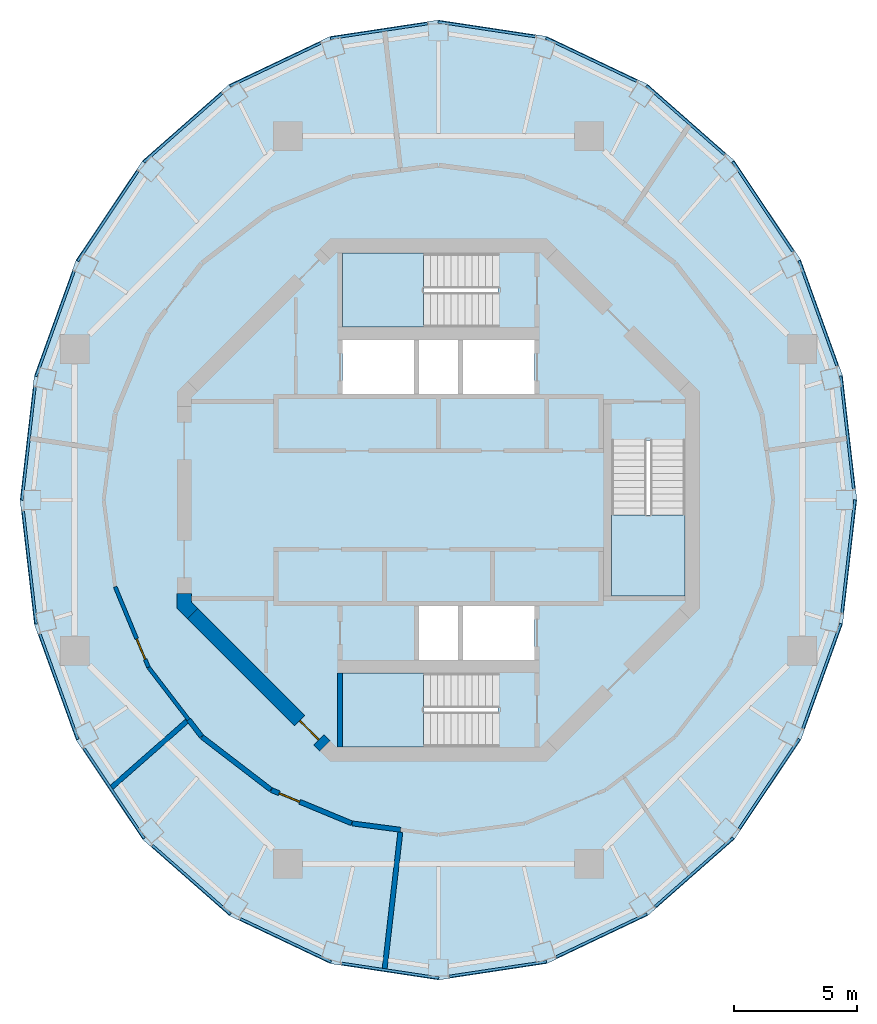
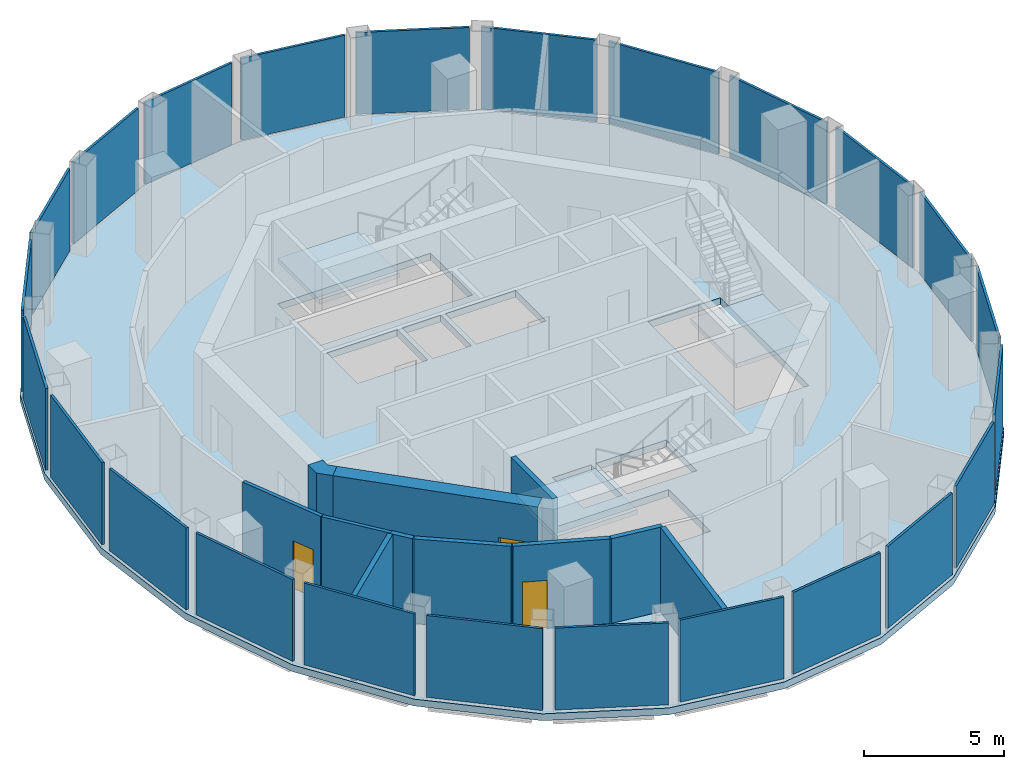
# One storey, part 7 of 11: 24 plates, 11 walls, 4 slabs, 3 doors, 3 openings, 27 elements without a shape of their own.
"""IFC4 building model written with IfcOpenShell, lengths in metres."""

from ifc_helpers import new_model, si_unit, direction, frame, frame_2d, origin, origin_2d, place, context, subcontext, project, spatial, polyline, rectangle, outline, extrude, material, layer, layer_set, type_object, element, fill, aggregate, save


model = new_model("IFC4")

# Units and contexts
model_context = context("Model", 3, precision=1e-05, world=origin(), true_north=direction((0.0, 1.0)))
body_context = subcontext(model_context, "Body", "Model", "MODEL_VIEW")
ifc_project = project(units=[si_unit("LENGTHUNIT", "METRE"), si_unit("AREAUNIT", "SQUARE_METRE"), si_unit("VOLUMEUNIT", "CUBIC_METRE"), si_unit("PLANEANGLEUNIT", "RADIAN"), si_unit("MASSUNIT", "GRAM", prefix="KILO")], contexts=[model_context])

# Site, building, storey
site_placement = place(None, origin())
site = spatial("IfcSite", under=ifc_project, at=site_placement, CompositionType="ELEMENT")
building_placement = place(site_placement, origin())
building = spatial("IfcBuilding", under=site, at=building_placement, Name="Nagisa Residences", CompositionType="ELEMENT")
storey_placement = place(building_placement, frame((0.0, 0.0, 332.89990234375)))
storey = spatial("IfcBuildingStorey", under=building, at=storey_placement, Name="L82", CompositionType="ELEMENT", Elevation=332.89990234375)

# Curtain wall, plate
ifc_material_1 = material(Name="Aluminium curtain wall system", Category="aluminium")
ifc_layer_1 = layer(ifc_material_1, 0.159912109375)
ifc_layer_set_1 = layer_set([ifc_layer_1], Name="CW5 CURTAIN WALL")
curtain_wall_type = type_object("IfcCurtainWallType", Name="CW5 CURTAIN WALL", PredefinedType="NOTDEFINED", material=ifc_layer_set_1)
curtain_wall_1_placement = place(storey_placement, origin())
curtain_wall_1 = element("IfcCurtainWall", 1, at=curtain_wall_1_placement, inside=storey, type_object=curtain_wall_type, Name="cw:CW5:L82:00", PredefinedType="NOTDEFINED")
ifc_material_2 = material(Name="Aluminium louvre", Category="aluminium")
ifc_layer_2 = layer(ifc_material_2, 0.10009765625)
ifc_layer_set_2 = layer_set([ifc_layer_2], Name="CW5 LOUVRE PANEL")
plate_type = type_object("IfcPlateType", Name="CW5 LOUVRE PANEL", PredefinedType="CURTAIN_PANEL", material=ifc_layer_set_2)
plate_1_placement = place(storey_placement, frame((16.604736328125, 2.742919921875, 0.1201171875), z_axis=(0.0, 0.0, 1.0), x_axis=(-0.114025397474, 0.993477835048, 0.0)))
plate_1 = element("IfcPlate", 2, at=plate_1_placement, type_object=plate_type, Name="CW5 panel", PredefinedType="CURTAIN_PANEL", context=body_context, shape_type="SweptSolid", body=[
    extrude(rectangle(XDim=4.6201171875, YDim=0.10009765625, at=origin_2d()), origin(), (0.0, 0.0, 1.0), 3.580078125),
])
aggregate(curtain_wall_1, [plate_1])

curtain_wall_2_placement = place(storey_placement, origin())
curtain_wall_2 = element("IfcCurtainWall", 3, at=curtain_wall_2_placement, inside=storey, type_object=curtain_wall_type, Name="cw:CW5:L82:01", PredefinedType="NOTDEFINED")
plate_2_placement = place(storey_placement, frame((15.418212890625, 7.587646484375, 0.1201171875), z_axis=(0.0, 0.0, 1.0), x_axis=(-0.339642923136, 0.940554456033, 0.0)))
plate_2 = element("IfcPlate", 4, at=plate_2_placement, type_object=plate_type, Name="CW5 panel", PredefinedType="CURTAIN_PANEL", context=body_context, shape_type="SweptSolid", body=[
    extrude(rectangle(XDim=4.540283203125, YDim=0.10009765625, at=origin_2d()), origin(), (0.0, 0.0, 1.0), 3.580078125),
])
aggregate(curtain_wall_2, [plate_2])

curtain_wall_3_placement = place(storey_placement, origin())
curtain_wall_3 = element("IfcCurtainWall", 5, at=curtain_wall_3_placement, inside=storey, type_object=curtain_wall_type, Name="cw:CW5:L82:02", PredefinedType="NOTDEFINED")
plate_3_placement = place(storey_placement, frame((13.17724609375, 11.916015625, 0.1201171875), z_axis=(0.0, 0.0, 1.0), x_axis=(-0.556014393027, 0.831172662415, 0.0)))
plate_3 = element("IfcPlate", 6, at=plate_3_placement, type_object=plate_type, Name="CW5 panel", PredefinedType="CURTAIN_PANEL", context=body_context, shape_type="SweptSolid", body=[
    extrude(rectangle(XDim=4.39892578125, YDim=0.10009765625, at=origin_2d()), origin(), (0.0, 0.0, 1.0), 3.580078125),
])
aggregate(curtain_wall_3, [plate_3])

curtain_wall_4_placement = place(storey_placement, origin())
curtain_wall_4 = element("IfcCurtainWall", 7, at=curtain_wall_4_placement, inside=storey, type_object=curtain_wall_type, Name="cw:CW5:L82:03", PredefinedType="NOTDEFINED")
plate_4_placement = place(storey_placement, frame((10.034912109375, 15.429931640625, 0.1201171875), z_axis=(0.0, 0.0, 1.0), x_axis=(-0.750650526795, 0.660699467703, 0.0)))
plate_4 = element("IfcPlate", 8, at=plate_4_placement, type_object=plate_type, Name="CW5 panel", PredefinedType="CURTAIN_PANEL", context=body_context, shape_type="SweptSolid", body=[
    extrude(rectangle(XDim=4.23046875, YDim=0.10009765625, at=origin_2d()), origin(), (0.0, 0.0, 1.0), 3.580078125),
])
aggregate(curtain_wall_4, [plate_4])

curtain_wall_5_placement = place(storey_placement, origin())
curtain_wall_5 = element("IfcCurtainWall", 9, at=curtain_wall_5_placement, inside=storey, type_object=curtain_wall_type, Name="cw:CW5:L82:04", PredefinedType="NOTDEFINED")
plate_5_placement = place(storey_placement, frame((6.2080078125, 17.887939453125, 0.1201171875), z_axis=(0.0, 0.0, 1.0), x_axis=(-0.903232929992, 0.429150642757, 0.0)))
plate_5 = element("IfcPlate", 10, at=plate_5_placement, type_object=plate_type, Name="CW5 panel", PredefinedType="CURTAIN_PANEL", context=body_context, shape_type="SweptSolid", body=[
    extrude(rectangle(XDim=4.079345703125, YDim=0.10009765625, at=origin_2d()), origin(), (0.0, 0.0, 1.0), 3.580078125),
])
aggregate(curtain_wall_5, [plate_5])

curtain_wall_6_placement = place(storey_placement, origin())
curtain_wall_6 = element("IfcCurtainWall", 11, at=curtain_wall_6_placement, inside=storey, type_object=curtain_wall_type, Name="cw:CW5:L82:05", PredefinedType="NOTDEFINED")
plate_6_placement = place(storey_placement, frame((1.960693359375, 19.123046875, 0.1201171875), z_axis=(0.0, 0.0, 1.0), x_axis=(-0.988788904158, 0.149320135997, 0.0)))
plate_6 = element("IfcPlate", 12, at=plate_6_placement, type_object=plate_type, Name="CW5 panel", PredefinedType="CURTAIN_PANEL", context=body_context, shape_type="SweptSolid", body=[
    extrude(rectangle(XDim=3.98974609375, YDim=0.10009765625, at=origin_2d()), origin(), (0.0, 0.0, 1.0), 3.580078125),
])
aggregate(curtain_wall_6, [plate_6])

curtain_wall_7_placement = place(storey_placement, origin())
curtain_wall_7 = element("IfcCurtainWall", 13, at=curtain_wall_7_placement, inside=storey, type_object=curtain_wall_type, Name="cw:CW5:L82:06", PredefinedType="NOTDEFINED")
plate_7_placement = place(storey_placement, frame((-2.41552734375, 19.054443359375, 0.1201171875), z_axis=(0.0, 0.0, 1.0), x_axis=(-0.988788904158, -0.149320135997, 0.0)))
plate_7 = element("IfcPlate", 14, at=plate_7_placement, type_object=plate_type, Name="CW5 panel", PredefinedType="CURTAIN_PANEL", context=body_context, shape_type="SweptSolid", body=[
    extrude(rectangle(XDim=3.98974609375, YDim=0.10009765625, at=origin_2d()), origin(), (0.0, 0.0, 1.0), 3.580078125),
])
aggregate(curtain_wall_7, [plate_7])

curtain_wall_8_placement = place(storey_placement, origin())
curtain_wall_8 = element("IfcCurtainWall", 15, at=curtain_wall_8_placement, inside=storey, type_object=curtain_wall_type, Name="cw:CW5:L82:07", PredefinedType="NOTDEFINED")
plate_8_placement = place(storey_placement, frame((-6.623291015625, 17.690673828125, 0.1201171875), z_axis=(0.0, 0.0, 1.0), x_axis=(-0.903232929992, -0.429150642757, 0.0)))
plate_8 = element("IfcPlate", 16, at=plate_8_placement, type_object=plate_type, Name="CW5 panel", PredefinedType="CURTAIN_PANEL", context=body_context, shape_type="SweptSolid", body=[
    extrude(rectangle(XDim=4.079345703125, YDim=0.10009765625, at=origin_2d()), origin(), (0.0, 0.0, 1.0), 3.580078125),
])
aggregate(curtain_wall_8, [plate_8])

curtain_wall_9_placement = place(storey_placement, origin())
curtain_wall_9 = element("IfcCurtainWall", 17, at=curtain_wall_9_placement, inside=storey, type_object=curtain_wall_type, Name="cw:CW5:L82:08", PredefinedType="NOTDEFINED")
plate_9_placement = place(storey_placement, frame((-10.380126953125, 15.1259765625, 0.1201171875), z_axis=(0.0, 0.0, 1.0), x_axis=(-0.750650526795, -0.660699467703, 0.0)))
plate_9 = element("IfcPlate", 18, at=plate_9_placement, type_object=plate_type, Name="CW5 panel", PredefinedType="CURTAIN_PANEL", context=body_context, shape_type="SweptSolid", body=[
    extrude(rectangle(XDim=4.23046875, YDim=0.10009765625, at=origin_2d()), origin(), (0.0, 0.0, 1.0), 3.580078125),
])
aggregate(curtain_wall_9, [plate_9])

curtain_wall_10_placement = place(storey_placement, origin())
curtain_wall_10 = element("IfcCurtainWall", 19, at=curtain_wall_10_placement, inside=storey, type_object=curtain_wall_type, Name="cw:CW5:L82:09", PredefinedType="NOTDEFINED")
plate_10_placement = place(storey_placement, frame((-13.43310546875, 11.53369140625, 0.1201171875), z_axis=(0.0, 0.0, 1.0), x_axis=(-0.556014393027, -0.831172662415, 0.0)))
plate_10 = element("IfcPlate", 20, at=plate_10_placement, type_object=plate_type, Name="CW5 panel", PredefinedType="CURTAIN_PANEL", context=body_context, shape_type="SweptSolid", body=[
    extrude(rectangle(XDim=4.39892578125, YDim=0.10009765625, at=origin_2d()), origin(), (0.0, 0.0, 1.0), 3.580078125),
])
aggregate(curtain_wall_10, [plate_10])

curtain_wall_11_placement = place(storey_placement, origin())
curtain_wall_11 = element("IfcCurtainWall", 21, at=curtain_wall_11_placement, inside=storey, type_object=curtain_wall_type, Name="cw:CW5:L82:10", PredefinedType="NOTDEFINED")
plate_11_placement = place(storey_placement, frame((-15.574462890625, 7.155029296875, 0.1201171875), z_axis=(0.0, 0.0, 1.0), x_axis=(-0.339642923136, -0.940554456033, 0.0)))
plate_11 = element("IfcPlate", 22, at=plate_11_placement, type_object=plate_type, Name="CW5 panel", PredefinedType="CURTAIN_PANEL", context=body_context, shape_type="SweptSolid", body=[
    extrude(rectangle(XDim=4.540283203125, YDim=0.10009765625, at=origin_2d()), origin(), (0.0, 0.0, 1.0), 3.580078125),
])
aggregate(curtain_wall_11, [plate_11])

curtain_wall_12_placement = place(storey_placement, origin())
curtain_wall_12 = element("IfcCurtainWall", 23, at=curtain_wall_12_placement, inside=storey, type_object=curtain_wall_type, Name="cw:CW5:L82:11", PredefinedType="NOTDEFINED")
plate_12_placement = place(storey_placement, frame((-16.6572265625, 2.285888671875, 0.1201171875), z_axis=(0.0, 0.0, 1.0), x_axis=(-0.114025397474, -0.993477835048, 0.0)))
plate_12 = element("IfcPlate", 24, at=plate_12_placement, type_object=plate_type, Name="CW5 panel", PredefinedType="CURTAIN_PANEL", context=body_context, shape_type="SweptSolid", body=[
    extrude(rectangle(XDim=4.6201171875, YDim=0.10009765625, at=origin_2d()), origin(), (0.0, 0.0, 1.0), 3.580078125),
])
aggregate(curtain_wall_12, [plate_12])

curtain_wall_13_placement = place(storey_placement, origin())
curtain_wall_13 = element("IfcCurtainWall", 25, at=curtain_wall_13_placement, inside=storey, type_object=curtain_wall_type, Name="cw:CW5:L82:12", PredefinedType="NOTDEFINED")
plate_13_placement = place(storey_placement, frame((-16.604736328125, -2.742919921875, 0.1201171875), z_axis=(0.0, 0.0, 1.0), x_axis=(0.114025397474, -0.993477835048, 0.0)))
plate_13 = element("IfcPlate", 26, at=plate_13_placement, type_object=plate_type, Name="CW5 panel", PredefinedType="CURTAIN_PANEL", context=body_context, shape_type="SweptSolid", body=[
    extrude(rectangle(XDim=4.6201171875, YDim=0.10009765625, at=origin_2d()), origin(), (0.0, 0.0, 1.0), 3.580078125),
])
aggregate(curtain_wall_13, [plate_13])

curtain_wall_14_placement = place(storey_placement, origin())
curtain_wall_14 = element("IfcCurtainWall", 27, at=curtain_wall_14_placement, inside=storey, type_object=curtain_wall_type, Name="cw:CW5:L82:13", PredefinedType="NOTDEFINED")
plate_14_placement = place(storey_placement, frame((-15.418212890625, -7.587646484375, 0.1201171875), z_axis=(0.0, 0.0, 1.0), x_axis=(0.339642923136, -0.940554456033, 0.0)))
plate_14 = element("IfcPlate", 28, at=plate_14_placement, type_object=plate_type, Name="CW5 panel", PredefinedType="CURTAIN_PANEL", context=body_context, shape_type="SweptSolid", body=[
    extrude(rectangle(XDim=4.540283203125, YDim=0.10009765625, at=origin_2d()), origin(), (0.0, 0.0, 1.0), 3.580078125),
])
aggregate(curtain_wall_14, [plate_14])

curtain_wall_15_placement = place(storey_placement, origin())
curtain_wall_15 = element("IfcCurtainWall", 29, at=curtain_wall_15_placement, inside=storey, type_object=curtain_wall_type, Name="cw:CW5:L82:14", PredefinedType="NOTDEFINED")
plate_15_placement = place(storey_placement, frame((-13.17724609375, -11.916015625, 0.1201171875), z_axis=(0.0, 0.0, 1.0), x_axis=(0.556014393027, -0.831172662415, 0.0)))
plate_15 = element("IfcPlate", 30, at=plate_15_placement, type_object=plate_type, Name="CW5 panel", PredefinedType="CURTAIN_PANEL", context=body_context, shape_type="SweptSolid", body=[
    extrude(rectangle(XDim=4.39892578125, YDim=0.10009765625, at=origin_2d()), origin(), (0.0, 0.0, 1.0), 3.580078125),
])
aggregate(curtain_wall_15, [plate_15])

curtain_wall_16_placement = place(storey_placement, origin())
curtain_wall_16 = element("IfcCurtainWall", 31, at=curtain_wall_16_placement, inside=storey, type_object=curtain_wall_type, Name="cw:CW5:L82:15", PredefinedType="NOTDEFINED")
plate_16_placement = place(storey_placement, frame((-10.034912109375, -15.429931640625, 0.1201171875), z_axis=(0.0, 0.0, 1.0), x_axis=(0.750650526795, -0.660699467703, 0.0)))
plate_16 = element("IfcPlate", 32, at=plate_16_placement, type_object=plate_type, Name="CW5 panel", PredefinedType="CURTAIN_PANEL", context=body_context, shape_type="SweptSolid", body=[
    extrude(rectangle(XDim=4.23046875, YDim=0.10009765625, at=origin_2d()), origin(), (0.0, 0.0, 1.0), 3.580078125),
])
aggregate(curtain_wall_16, [plate_16])

curtain_wall_17_placement = place(storey_placement, origin())
curtain_wall_17 = element("IfcCurtainWall", 33, at=curtain_wall_17_placement, inside=storey, type_object=curtain_wall_type, Name="cw:CW5:L82:16", PredefinedType="NOTDEFINED")
plate_17_placement = place(storey_placement, frame((-6.2080078125, -17.887939453125, 0.1201171875), z_axis=(0.0, 0.0, 1.0), x_axis=(0.903232929992, -0.429150642757, 0.0)))
plate_17 = element("IfcPlate", 34, at=plate_17_placement, type_object=plate_type, Name="CW5 panel", PredefinedType="CURTAIN_PANEL", context=body_context, shape_type="SweptSolid", body=[
    extrude(rectangle(XDim=4.079345703125, YDim=0.10009765625, at=origin_2d()), origin(), (0.0, 0.0, 1.0), 3.580078125),
])
aggregate(curtain_wall_17, [plate_17])

curtain_wall_18_placement = place(storey_placement, origin())
curtain_wall_18 = element("IfcCurtainWall", 35, at=curtain_wall_18_placement, inside=storey, type_object=curtain_wall_type, Name="cw:CW5:L82:17", PredefinedType="NOTDEFINED")
plate_18_placement = place(storey_placement, frame((-1.960693359375, -19.123046875, 0.1201171875), z_axis=(0.0, 0.0, 1.0), x_axis=(0.988788904158, -0.149320135997, 0.0)))
plate_18 = element("IfcPlate", 36, at=plate_18_placement, type_object=plate_type, Name="CW5 panel", PredefinedType="CURTAIN_PANEL", context=body_context, shape_type="SweptSolid", body=[
    extrude(rectangle(XDim=3.98974609375, YDim=0.10009765625, at=origin_2d()), origin(), (0.0, 0.0, 1.0), 3.580078125),
])
aggregate(curtain_wall_18, [plate_18])

curtain_wall_19_placement = place(storey_placement, origin())
curtain_wall_19 = element("IfcCurtainWall", 37, at=curtain_wall_19_placement, inside=storey, type_object=curtain_wall_type, Name="cw:CW5:L82:18", PredefinedType="NOTDEFINED")
plate_19_placement = place(storey_placement, frame((2.41552734375, -19.054443359375, 0.1201171875), z_axis=(0.0, 0.0, 1.0), x_axis=(0.988788904158, 0.149320135997, 0.0)))
plate_19 = element("IfcPlate", 38, at=plate_19_placement, type_object=plate_type, Name="CW5 panel", PredefinedType="CURTAIN_PANEL", context=body_context, shape_type="SweptSolid", body=[
    extrude(rectangle(XDim=3.98974609375, YDim=0.10009765625, at=origin_2d()), origin(), (0.0, 0.0, 1.0), 3.580078125),
])
aggregate(curtain_wall_19, [plate_19])

curtain_wall_20_placement = place(storey_placement, origin())
curtain_wall_20 = element("IfcCurtainWall", 39, at=curtain_wall_20_placement, inside=storey, type_object=curtain_wall_type, Name="cw:CW5:L82:19", PredefinedType="NOTDEFINED")
plate_20_placement = place(storey_placement, frame((6.623291015625, -17.690673828125, 0.1201171875), z_axis=(0.0, 0.0, 1.0), x_axis=(0.903232929992, 0.429150642757, 0.0)))
plate_20 = element("IfcPlate", 40, at=plate_20_placement, type_object=plate_type, Name="CW5 panel", PredefinedType="CURTAIN_PANEL", context=body_context, shape_type="SweptSolid", body=[
    extrude(rectangle(XDim=4.079345703125, YDim=0.10009765625, at=origin_2d()), origin(), (0.0, 0.0, 1.0), 3.580078125),
])
aggregate(curtain_wall_20, [plate_20])

curtain_wall_21_placement = place(storey_placement, origin())
curtain_wall_21 = element("IfcCurtainWall", 41, at=curtain_wall_21_placement, inside=storey, type_object=curtain_wall_type, Name="cw:CW5:L82:20", PredefinedType="NOTDEFINED")
plate_21_placement = place(storey_placement, frame((10.380126953125, -15.1259765625, 0.1201171875), z_axis=(0.0, 0.0, 1.0), x_axis=(0.750650526795, 0.660699467703, 0.0)))
plate_21 = element("IfcPlate", 42, at=plate_21_placement, type_object=plate_type, Name="CW5 panel", PredefinedType="CURTAIN_PANEL", context=body_context, shape_type="SweptSolid", body=[
    extrude(rectangle(XDim=4.23046875, YDim=0.10009765625, at=origin_2d()), origin(), (0.0, 0.0, 1.0), 3.580078125),
])
aggregate(curtain_wall_21, [plate_21])

curtain_wall_22_placement = place(storey_placement, origin())
curtain_wall_22 = element("IfcCurtainWall", 43, at=curtain_wall_22_placement, inside=storey, type_object=curtain_wall_type, Name="cw:CW5:L82:21", PredefinedType="NOTDEFINED")
plate_22_placement = place(storey_placement, frame((13.43310546875, -11.53369140625, 0.1201171875), z_axis=(0.0, 0.0, 1.0), x_axis=(0.556014393027, 0.831172662415, 0.0)))
plate_22 = element("IfcPlate", 44, at=plate_22_placement, type_object=plate_type, Name="CW5 panel", PredefinedType="CURTAIN_PANEL", context=body_context, shape_type="SweptSolid", body=[
    extrude(rectangle(XDim=4.39892578125, YDim=0.10009765625, at=origin_2d()), origin(), (0.0, 0.0, 1.0), 3.580078125),
])
aggregate(curtain_wall_22, [plate_22])

curtain_wall_23_placement = place(storey_placement, origin())
curtain_wall_23 = element("IfcCurtainWall", 45, at=curtain_wall_23_placement, inside=storey, type_object=curtain_wall_type, Name="cw:CW5:L82:22", PredefinedType="NOTDEFINED")
plate_23_placement = place(storey_placement, frame((15.574462890625, -7.155029296875, 0.1201171875), z_axis=(0.0, 0.0, 1.0), x_axis=(0.339642923136, 0.940554456033, 0.0)))
plate_23 = element("IfcPlate", 46, at=plate_23_placement, type_object=plate_type, Name="CW5 panel", PredefinedType="CURTAIN_PANEL", context=body_context, shape_type="SweptSolid", body=[
    extrude(rectangle(XDim=4.540283203125, YDim=0.10009765625, at=origin_2d()), origin(), (0.0, 0.0, 1.0), 3.580078125),
])
aggregate(curtain_wall_23, [plate_23])

curtain_wall_24_placement = place(storey_placement, origin())
curtain_wall_24 = element("IfcCurtainWall", 47, at=curtain_wall_24_placement, inside=storey, type_object=curtain_wall_type, Name="cw:CW5:L82:23", PredefinedType="NOTDEFINED")
plate_24_placement = place(storey_placement, frame((16.6572265625, -2.285888671875, 0.1201171875), z_axis=(0.0, 0.0, 1.0), x_axis=(0.114025397474, 0.993477835048, 0.0)))
plate_24 = element("IfcPlate", 48, at=plate_24_placement, type_object=plate_type, Name="CW5 panel", PredefinedType="CURTAIN_PANEL", context=body_context, shape_type="SweptSolid", body=[
    extrude(rectangle(XDim=4.6201171875, YDim=0.10009765625, at=origin_2d()), origin(), (0.0, 0.0, 1.0), 3.580078125),
])
aggregate(curtain_wall_24, [plate_24])

# Slab
ifc_material_3 = material(Name="Concrete C40", Category="concrete")
ifc_layer_3 = layer(ifc_material_3, 0.300048828125)
ifc_layer_set_3 = layer_set([ifc_layer_3], Name="Floor slab 300")
slab_type_1 = type_object("IfcSlabType", Name="Floor slab 300", PredefinedType="FLOOR", material=ifc_layer_set_3)
slab_1_placement = place(storey_placement, frame((0.0, 0.0, -0.2998046875)))
element("IfcSlab", 49, at=slab_1_placement, inside=storey, type_object=slab_type_1, Name="slab:L82:floor", PredefinedType="FLOOR", context=body_context, shape_type="SweptSolid", body=[
    extrude(outline(polyline([(17.0, 0.0), (16.420654296875, 5.046875), (14.722412109375, 9.75), (12.020751953125, 13.78857421875), (8.5, 16.887451171875), (4.39990234375, 18.83544921875), (0.0, 19.5), (-4.39990234375, 18.83544921875), (-8.5, 16.887451171875), (-12.020751953125, 13.78857421875), (-14.722412109375, 9.75), (-16.420654296875, 5.046875), (-17.0, 0.0), (-16.420654296875, -5.046875), (-14.722412109375, -9.75), (-12.020751953125, -13.78857421875), (-8.5, -16.887451171875), (-4.39990234375, -18.83544921875), (0.0, -19.5), (4.39990234375, -18.83544921875), (8.5, -16.887451171875), (12.020751953125, -13.78857421875), (14.722412109375, -9.75), (16.420654296875, -5.046875), (17.0, 0.0)]), holes=[polyline([(3.89990234375, 4.300048828125), (3.89990234375, 6.5), (1.0, 6.5), (1.0, 4.300048828125), (3.89990234375, 4.300048828125)]), polyline([(3.89990234375, -6.5), (3.89990234375, -4.300048828125), (1.0, -4.300048828125), (1.0, -6.5), (3.89990234375, -6.5)]), polyline([(-1.0, 4.300048828125), (-1.0, 6.5), (-3.89990234375, 6.5), (-3.89990234375, 4.300048828125), (-1.0, 4.300048828125)]), polyline([(0.800048828125, 4.300048828125), (0.800048828125, 6.5), (-0.800048828125, 6.5), (-0.800048828125, 4.300048828125), (0.800048828125, 4.300048828125)]), polyline([(0.800048828125, -6.5), (0.800048828125, -4.300048828125), (-0.800048828125, -4.300048828125), (-0.800048828125, -6.5), (0.800048828125, -6.5)]), polyline([(10.024658203125, -3.89990234375), (7.024658203125, -3.89990234375), (7.024658203125, 2.425048828125), (10.024658203125, 2.425048828125), (10.024658203125, -3.89990234375)]), polyline([(-3.89990234375, 7.024658203125), (-3.89990234375, 10.024658203125), (2.425048828125, 10.024658203125), (2.425048828125, 7.024658203125), (-3.89990234375, 7.024658203125)]), polyline([(-3.89990234375, -10.024658203125), (-3.89990234375, -7.024658203125), (2.425048828125, -7.024658203125), (2.425048828125, -10.024658203125), (-3.89990234375, -10.024658203125)])]), origin(), (0.0, 0.0, 1.0), 0.2998046875),
])

# Stair, slab
ifc_material_4 = material(Name="Concrete C60", Category="concrete")
stair_type = type_object("IfcStairType", Name="Exit stair", PredefinedType="HALF_TURN_STAIR", material=ifc_material_4)
stair_1_placement = place(storey_placement, origin())
stair_1 = element("IfcStair", 50, at=stair_1_placement, inside=storey, type_object=stair_type, Name="L82 Exit stair E", PredefinedType="HALF_TURN_STAIR")
ifc_material_5 = material(Name="Concrete C60", Category="concrete")
ifc_layer_4 = layer(ifc_material_5, 0.199951171875)
ifc_layer_set_4 = layer_set([ifc_layer_4], Name="Stair landing")
slab_type_2 = type_object("IfcSlabType", Name="Stair landing", PredefinedType="LANDING", material=ifc_layer_set_4)
slab_2_placement = place(storey_placement, frame((0.0, 0.0, 1.800048828125)))
slab_2 = element("IfcSlab", 51, at=slab_2_placement, type_object=slab_type_2, Name="ST-E landing 1", PredefinedType="LANDING", context=body_context, shape_type="SweptSolid", body=[
    extrude(outline(polyline([(7.024658203125, -0.60498046875), (7.024658203125, -3.89990234375), (10.024658203125, -3.89990234375), (10.024658203125, -0.60498046875), (7.024658203125, -0.60498046875)])), origin(), (0.0, 0.0, 1.0), 0.199951171875),
])
aggregate(stair_1, [slab_2])

stair_2_placement = place(storey_placement, origin())
stair_2 = element("IfcStair", 52, at=stair_2_placement, inside=storey, type_object=stair_type, Name="L82 Exit stair N", PredefinedType="HALF_TURN_STAIR")
slab_3_placement = place(storey_placement, frame((0.0, 0.0, 1.800048828125)))
slab_3 = element("IfcSlab", 53, at=slab_3_placement, type_object=slab_type_2, Name="ST-N landing 1", PredefinedType="LANDING", context=body_context, shape_type="SweptSolid", body=[
    extrude(outline(polyline([(-0.60498046875, 10.024658203125), (-3.89990234375, 10.024658203125), (-3.89990234375, 7.024658203125), (-0.60498046875, 7.024658203125), (-0.60498046875, 10.024658203125)])), origin(), (0.0, 0.0, 1.0), 0.199951171875),
])
aggregate(stair_2, [slab_3])

stair_3_placement = place(storey_placement, origin())
stair_3 = element("IfcStair", 54, at=stair_3_placement, inside=storey, type_object=stair_type, Name="L82 Exit stair S", PredefinedType="HALF_TURN_STAIR")
slab_4_placement = place(storey_placement, frame((0.0, 0.0, 1.800048828125)))
slab_4 = element("IfcSlab", 55, at=slab_4_placement, type_object=slab_type_2, Name="ST-S landing 1", PredefinedType="LANDING", context=body_context, shape_type="SweptSolid", body=[
    extrude(outline(polyline([(-0.60498046875, -7.024658203125), (-3.89990234375, -7.024658203125), (-3.89990234375, -10.024658203125), (-0.60498046875, -10.024658203125), (-0.60498046875, -7.024658203125)])), origin(), (0.0, 0.0, 1.0), 0.199951171875),
])
aggregate(stair_3, [slab_4])

# Wall, opening, door
ifc_material_6 = material(Name="Concrete C60", Category="concrete")
ifc_layer_5 = layer(ifc_material_6, 0.60009765625)
ifc_layer_set_5 = layer_set([ifc_layer_5], Name="Core shear wall 600")
wall_type_1 = type_object("IfcWallType", Name="Core shear wall 600", PredefinedType="SHEAR", material=ifc_layer_set_5)
wall_1_placement = place(storey_placement, frame((-9.98828125, -4.613037109375, 0.0), z_axis=(0.0, 0.0, 1.0), x_axis=(0.707106781187, -0.707106781187, 0.0)))
wall_1 = element("IfcWall", 56, at=wall_1_placement, inside=storey, type_object=wall_type_1, Name="wall:L82:core:flat5", PredefinedType="SHEAR", context=body_context, shape_type="SweptSolid", body=[
    extrude(rectangle(XDim=7.601806640625, YDim=0.60009765625, at=frame_2d((3.80078125, 0.0))), origin(), (0.0, 0.0, 1.0), 3.7001953125),
])
opening_1_placement = place(wall_1_placement, frame((6.15087890625, 0.0, 0.0)))
opening_1 = element("IfcOpeningElement", 57, at=opening_1_placement, cuts=wall_1, Name="Opening L82-C21", PredefinedType="OPENING", context=body_context, shape_type="SweptSolid", body=[
    extrude(rectangle(XDim=1.10009765625, YDim=2.10009765625, at=frame_2d((0.550048828125, 1.050048828125))), frame((0.0, 0.31005859375, 0.0), z_axis=(0.0, -1.0, 0.0), x_axis=(1.0, 0.0, 0.0)), (0.0, 0.0, 1.0), 0.6201171875),
])
ifc_material_7 = material(Name="Steel fire door", Category="steel")
door_type_1 = type_object("IfcDoorType", Name="Fire door EI60 1100x2100 single swing", OperationType="NOTDEFINED", PredefinedType="DOOR", material=ifc_material_7)
door_1_placement = place(opening_1_placement, origin())
door_1 = element("IfcDoor", 58, at=door_1_placement, inside=storey, type_object=door_type_1, Name="Housekeeping lobby door L82", OperationType="SINGLE_SWING_RIGHT", OverallHeight=2.10009765625, OverallWidth=1.10009765625, PredefinedType="DOOR", context=body_context, shape_type="SweptSolid", body=[
    extrude(rectangle(XDim=1.10009765625, YDim=2.10009765625, at=frame_2d((0.550048828125, 1.050048828125))), frame((0.0, 0.02490234375, 0.0), z_axis=(0.0, -1.0, 0.0), x_axis=(1.0, 0.0, 0.0)), (0.0, 0.0, 1.0), 0.050048828125),
])
fill(opening_1, door_1)

# Walls
wall_2_placement = place(storey_placement, origin())
element("IfcWall", 59, at=wall_2_placement, inside=storey, type_object=wall_type_1, Name="wall:L82:core:pier4", PredefinedType="SHEAR", context=body_context, shape_type="SweptSolid", body=[
    extrude(outline(polyline([(-10.62451171875, -3.80078125), (-10.024658203125, -3.80078125), (-10.024658203125, -4.15234375), (-9.776123046875, -4.40087890625), (-10.200439453125, -4.8251953125), (-10.62451171875, -4.40087890625), (-10.62451171875, -3.80078125)])), origin(), (0.0, 0.0, 1.0), 3.7001953125),
])
ifc_material_8 = material(Name="Gypsum board on steel studs", Category="steel")
ifc_layer_6 = layer(ifc_material_8, 0.199951171875)
ifc_layer_set_6 = layer_set([ifc_layer_6], Name="Plant room wall EI120 200")
wall_type_2 = type_object("IfcWallType", Name="Plant room wall EI120 200", PredefinedType="PARTITIONING", material=ifc_layer_set_6)
wall_3_placement = place(storey_placement, frame((-10.22412109375, -8.9892578125, 0.0), z_axis=(0.0, 0.0, 1.0), x_axis=(-0.750994766266, -0.660308156122, 0.0)))
element("IfcWall", 60, at=wall_3_placement, inside=storey, type_object=wall_type_2, Name="wall:L82:am018", PredefinedType="PARTITIONING", context=body_context, shape_type="SweptSolid", body=[
    extrude(rectangle(XDim=4.097412109375, YDim=0.199951171875, at=frame_2d((2.048828125, 0.0))), origin(), (0.0, 0.0, 1.0), 3.7001953125),
])
wall_4_placement = place(storey_placement, frame((-9.6259765625, -9.604736328125, 0.0), z_axis=(0.0, 0.0, 1.0), x_axis=(-0.608694005511, 0.793405071609, 0.0)))
element("IfcWall", 61, at=wall_4_placement, inside=storey, type_object=wall_type_2, Name="wall:L82:am019", PredefinedType="PARTITIONING", context=body_context, shape_type="SweptSolid", body=[
    extrude(rectangle(XDim=0.859130859375, YDim=0.199951171875, at=frame_2d((0.4296875, 0.0))), origin(), (0.0, 0.0, 1.0), 3.7001953125),
])
wall_5_placement = place(storey_placement, frame((-6.81201171875, -11.7685546875, 0.0), z_axis=(0.0, 0.0, 1.0), x_axis=(-0.793402024283, 0.608697977542, 0.0)))
element("IfcWall", 62, at=wall_5_placement, inside=storey, type_object=wall_type_2, Name="wall:L82:am021", PredefinedType="PARTITIONING", context=body_context, shape_type="SweptSolid", body=[
    extrude(rectangle(XDim=3.52001953125, YDim=0.199951171875, at=frame_2d((1.760009765625, 0.0))), origin(), (0.0, 0.0, 1.0), 3.7001953125),
])

# Wall, opening, door
wall_6_placement = place(storey_placement, frame((-3.533935546875, -13.130859375, 0.0), z_axis=(0.0, 0.0, 1.0), x_axis=(-0.92386297064, 0.382723413813, 0.0)))
wall_6 = element("IfcWall", 63, at=wall_6_placement, inside=storey, type_object=wall_type_2, Name="wall:L82:am023", PredefinedType="PARTITIONING", context=body_context, shape_type="SweptSolid", body=[
    extrude(rectangle(XDim=3.52001953125, YDim=0.199951171875, at=frame_2d((1.760009765625, 0.0))), origin(), (0.0, 0.0, 1.0), 3.7001953125),
])
opening_2_placement = place(wall_6_placement, frame((2.277587890625, 0.0, 0.0)))
opening_2 = element("IfcOpeningElement", 64, at=opening_2_placement, cuts=wall_6, Name="Opening L82-A05", PredefinedType="OPENING", context=body_context, shape_type="SweptSolid", body=[
    extrude(rectangle(XDim=0.89990234375, YDim=2.10009765625, at=frame_2d((0.449951171875, 1.050048828125))), frame((0.0, 0.10986328125, 0.0), z_axis=(0.0, -1.0, 0.0), x_axis=(1.0, 0.0, 0.0)), (0.0, 0.0, 1.0), 0.219970703125),
])
ifc_material_9 = material(Name="Steel fire door", Category="steel")
door_type_2 = type_object("IfcDoorType", Name="Fire door EI120 900x2100 single swing", OperationType="NOTDEFINED", PredefinedType="DOOR", material=ifc_material_9)
door_2_placement = place(opening_2_placement, origin())
door_2 = element("IfcDoor", 65, at=door_2_placement, inside=storey, type_object=door_type_2, Name="Standby generator room door", OperationType="SINGLE_SWING_LEFT", OverallHeight=2.10009765625, OverallWidth=0.89990234375, PredefinedType="DOOR", context=body_context, shape_type="SweptSolid", body=[
    extrude(rectangle(XDim=0.89990234375, YDim=2.10009765625, at=frame_2d((0.449951171875, 1.050048828125))), frame((0.0, 0.02490234375, 0.0), z_axis=(0.0, -1.0, 0.0), x_axis=(1.0, 0.0, 0.0)), (0.0, 0.0, 1.0), 0.050048828125),
])
fill(opening_2, door_2)

# Walls
wall_7_placement = place(storey_placement, frame((-2.189208984375, -19.068359375, 0.0), z_axis=(0.0, 0.0, 1.0), x_axis=(0.114057329834, 0.993474169524, 0.0)))
element("IfcWall", 66, at=wall_7_placement, inside=storey, type_object=wall_type_2, Name="wall:L82:am025", PredefinedType="PARTITIONING", context=body_context, shape_type="SweptSolid", body=[
    extrude(rectangle(XDim=5.608154296875, YDim=0.199951171875, at=frame_2d((2.80419921875, 0.0))), origin(), (0.0, 0.0, 1.0), 3.7001953125),
])
wall_8_placement = place(storey_placement, frame((-1.5380859375, -13.3974609375, 0.0), z_axis=(0.0, 0.0, 1.0), x_axis=(-0.991454295543, 0.130454512571, 0.0)))
element("IfcWall", 67, at=wall_8_placement, inside=storey, type_object=wall_type_2, Name="wall:L82:am026", PredefinedType="PARTITIONING", context=body_context, shape_type="SweptSolid", body=[
    extrude(rectangle(XDim=1.983642578125, YDim=0.199951171875, at=frame_2d((0.99169921875, 0.0))), origin(), (0.0, 0.0, 1.0), 3.7001953125),
])

# Wall, opening, door
ifc_material_10 = material(Name="Gypsum board on steel studs", Category="steel")
ifc_layer_7 = layer(ifc_material_10, 0.14990234375)
ifc_layer_set_7 = layer_set([ifc_layer_7], Name="Room partition EI60 150")
wall_type_3 = type_object("IfcWallType", Name="Room partition EI60 150", PredefinedType="PARTITIONING", material=ifc_layer_set_7)
wall_9_placement = place(storey_placement, frame((-11.782470703125, -6.7890625, 0.0), z_axis=(0.0, 0.0, 1.0), x_axis=(-0.382677866108, 0.923881838111, 0.0)))
wall_9 = element("IfcWall", 68, at=wall_9_placement, inside=storey, type_object=wall_type_3, Name="wall:L82:am002", PredefinedType="PARTITIONING", context=body_context, shape_type="SweptSolid", body=[
    extrude(rectangle(XDim=3.52685546875, YDim=0.14990234375, at=frame_2d((1.763427734375, 0.0))), origin(), (0.0, 0.0, 1.0), 3.7001953125),
])
opening_3_placement = place(wall_9_placement, frame((0.345703125, 0.0, 0.0)))
opening_3 = element("IfcOpeningElement", 69, at=opening_3_placement, cuts=wall_9, Name="Opening L82-A04", PredefinedType="OPENING", context=body_context, shape_type="SweptSolid", body=[
    extrude(rectangle(XDim=0.89990234375, YDim=2.10009765625, at=frame_2d((0.449951171875, 1.050048828125))), frame((0.0, 0.0849609375, 0.0), z_axis=(0.0, -1.0, 0.0), x_axis=(1.0, 0.0, 0.0)), (0.0, 0.0, 1.0), 0.169921875),
])
ifc_material_11 = material(Name="Steel fire door", Category="steel")
door_type_3 = type_object("IfcDoorType", Name="Fire door EI30 900x2100 single swing", OperationType="NOTDEFINED", PredefinedType="DOOR", material=ifc_material_11)
door_3_placement = place(opening_3_placement, origin())
door_3 = element("IfcDoor", 70, at=door_3_placement, inside=storey, type_object=door_type_3, Name="Plant control room door", OperationType="SINGLE_SWING_RIGHT", OverallHeight=2.10009765625, OverallWidth=0.89990234375, PredefinedType="DOOR", context=body_context, shape_type="SweptSolid", body=[
    extrude(rectangle(XDim=0.89990234375, YDim=2.10009765625, at=frame_2d((0.449951171875, 1.050048828125))), frame((0.0, 0.02490234375, 0.0), z_axis=(0.0, -1.0, 0.0), x_axis=(1.0, 0.0, 0.0)), (0.0, 0.0, 1.0), 0.050048828125),
])
fill(opening_3, door_3)

# Walls
wall_10_placement = place(storey_placement, frame((-10.14892578125, -8.923095703125, 0.0), z_axis=(0.0, 0.0, 1.0), x_axis=(-0.608731606531, 0.793376222993, 0.0)))
element("IfcWall", 71, at=wall_10_placement, inside=storey, type_object=wall_type_3, Name="wall:L82:am003", PredefinedType="PARTITIONING", context=body_context, shape_type="SweptSolid", body=[
    extrude(rectangle(XDim=2.664306640625, YDim=0.14990234375, at=frame_2d((1.33203125, 0.0))), origin(), (0.0, 0.0, 1.0), 3.7001953125),
])
ifc_material_12 = material(Name="Concrete C60", Category="concrete")
ifc_layer_8 = layer(ifc_material_12, 0.199951171875)
ifc_layer_set_8 = layer_set([ifc_layer_8], Name="Stair enclosure wall 200")
wall_type_4 = type_object("IfcWallType", Name="Stair enclosure wall 200", PredefinedType="SOLIDWALL", material=ifc_layer_set_8)
wall_11_placement = place(storey_placement, origin())
element("IfcWall", 72, at=wall_11_placement, inside=storey, type_object=wall_type_4, Name="wall:L82:SS_w", PredefinedType="SOLIDWALL", context=body_context, shape_type="SweptSolid", body=[
    extrude(outline(polyline([(-3.89990234375, -10.024658203125), (-4.10009765625, -10.024658203125), (-4.10009765625, -7.024658203125), (-3.89990234375, -7.024658203125), (-3.89990234375, -10.024658203125)])), origin(), (0.0, 0.0, 1.0), 3.7001953125),
])

save(model, "model.ifc")
